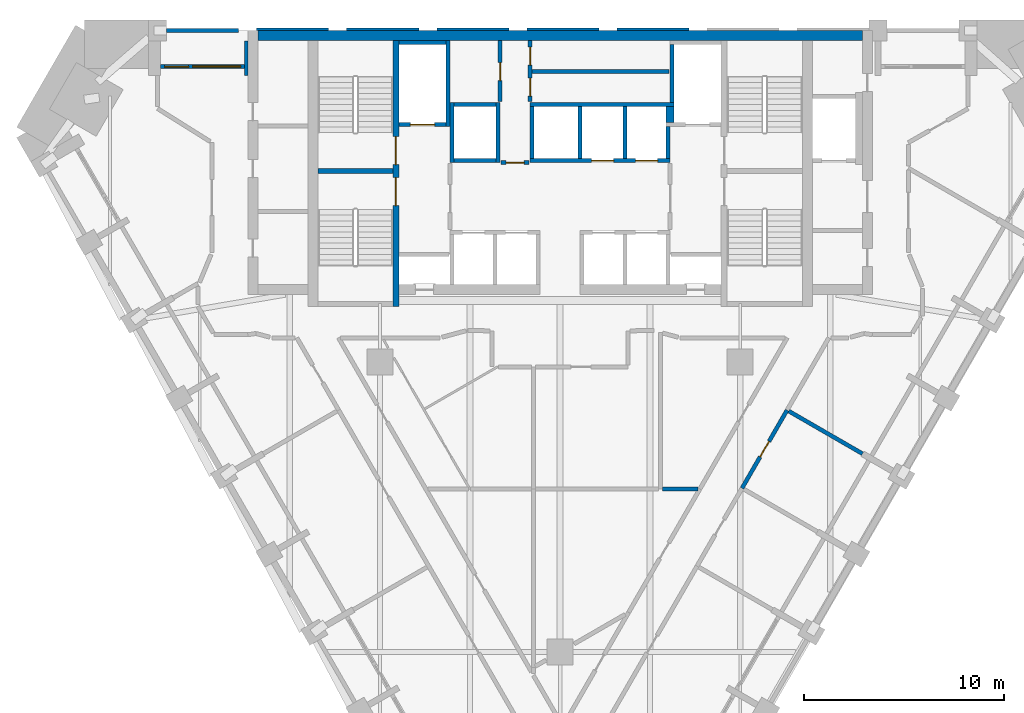
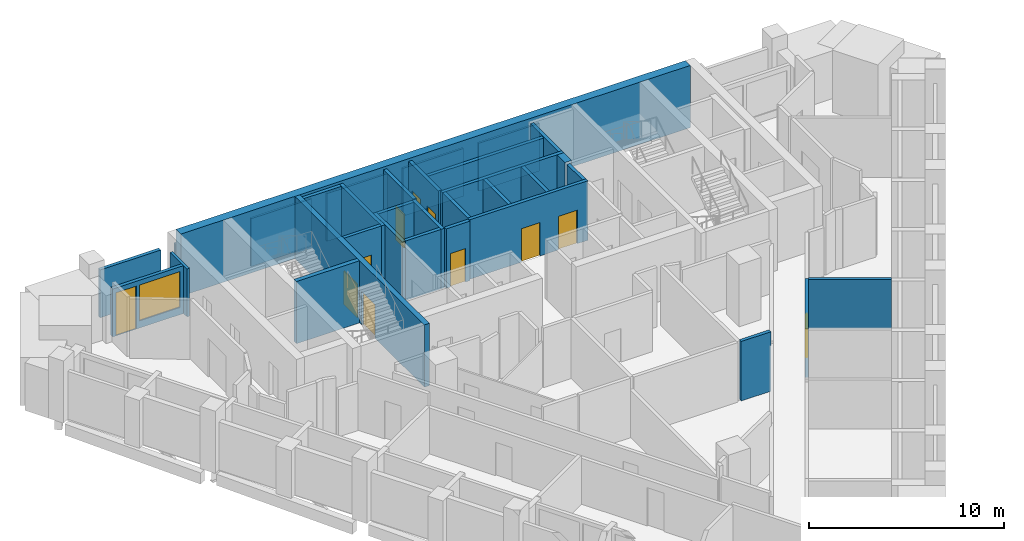
# One storey, part 6 of 10: 33 walls, 11 doors, 1 window, 12 openings.
"""IFC4 building model written with IfcOpenShell, lengths in metres."""

import ifcopenshell
import ifcopenshell.guid

model = None  # the IFC model being written
_history = None  # IfcOwnerHistory: only IFC2X3 demands one
_inside = {}  # id of a spatial element -> (the spatial element, [elements in it])
_under = {}  # id of a project, library or spatial element -> (it, [spatial elements below it])
_declared = {}  # id of a project -> (the project, [libraries it declares])
_typed = {}  # id of a type object -> (the type object, [elements of that type])
_made_of = {}  # id of a material, layer set ... -> (it, [elements and type objects made of it])


def new_model(schema):
    """Start an empty IFC model of exactly this schema.

    Asked for "IFC4X3", IfcOpenShell would pick the latest addendum, in which some entities
    have other attributes; the version numbers below select the first issue.
    IFC2X3 requires an IfcOwnerHistory on every rooted entity: one is made here for all.
    """
    global model, _history
    if schema == "IFC4X3":
        model = ifcopenshell.file(schema_version=(4, 3, 0, 0))
    else:
        model = ifcopenshell.file(schema=schema)
    _inside.clear()
    _under.clear()
    _declared.clear()
    _typed.clear()
    _made_of.clear()
    _history = None
    if model.schema == "IFC2X3":
        org = make("IfcOrganization", Name="unknown")
        user = make(
            "IfcPersonAndOrganization",
            ThePerson=make("IfcPerson", FamilyName="unknown"),
            TheOrganization=org,
        )
        app = make(
            "IfcApplication",
            ApplicationDeveloper=org,
            Version="unknown",
            ApplicationFullName="unknown",
            ApplicationIdentifier="unknown",
        )
        _history = make(
            "IfcOwnerHistory",
            OwningUser=user,
            OwningApplication=app,
            ChangeAction="ADDED",
            CreationDate=0,
        )
    return model


def make(cls, **values):
    """One entity of the class cls with the attributes given. An attribute that is None is left unset."""
    return model.create_entity(
        cls, **{name: value for name, value in values.items() if value is not None}
    )


def rooted(cls, **values):
    """An entity with a GlobalId (a new one), such as an element, a storey or a relation."""
    return make(cls, GlobalId=ifcopenshell.guid.new(), OwnerHistory=_history, **values)


def si_unit(unit_type, name, prefix=None):
    """IfcSIUnit, for example si_unit("LENGTHUNIT", "METRE", prefix="MILLI")."""
    return make("IfcSIUnit", UnitType=unit_type, Prefix=prefix, Name=name)


def assignment(units):
    """IfcUnitAssignment: the units of a project."""
    return None if units is None else make("IfcUnitAssignment", Units=units)


def point(xyz):
    """IfcCartesianPoint."""
    return None if xyz is None else make("IfcCartesianPoint", Coordinates=xyz)


def direction(xyz):
    """IfcDirection."""
    return None if xyz is None else make("IfcDirection", DirectionRatios=xyz)


def frame(location, z_axis=None, x_axis=None):
    """IfcAxis2Placement3D, a coordinate frame: its origin and axes. An axis left out is left unset."""
    return make(
        "IfcAxis2Placement3D",
        Location=point(location),
        Axis=direction(z_axis),
        RefDirection=direction(x_axis),
    )


def frame_2d(location, x_axis=None):
    """IfcAxis2Placement2D, a coordinate frame in the plane: its origin and x axis."""
    return make(
        "IfcAxis2Placement2D", Location=point(location), RefDirection=direction(x_axis)
    )


def origin():
    """The frame at (0, 0, 0) with its axes left unset."""
    return frame((0.0, 0.0, 0.0))


def place(relative_to, where):
    """IfcLocalPlacement: puts the frame where relative to a parent placement (None: the world)."""
    return make(
        "IfcLocalPlacement", PlacementRelTo=relative_to, RelativePlacement=where
    )


def context(
    kind, dimensions, precision=None, world=None, true_north=None, identifier=None
):
    """IfcGeometricRepresentationContext, for example the 3D "Model" context."""
    return make(
        "IfcGeometricRepresentationContext",
        ContextIdentifier=identifier,
        ContextType=kind,
        CoordinateSpaceDimension=dimensions,
        Precision=precision,
        WorldCoordinateSystem=world,
        TrueNorth=true_north,
    )


def subcontext(parent, identifier, kind, view, scale=None):
    """IfcGeometricRepresentationSubContext, for example "Body" below "Model"."""
    return make(
        "IfcGeometricRepresentationSubContext",
        ContextIdentifier=identifier,
        ContextType=kind,
        ParentContext=parent,
        TargetScale=scale,
        TargetView=view,
    )


def project(units=None, contexts=None):
    """IfcProject with its units and contexts."""
    return rooted(
        "IfcProject",
        Name="project",
        RepresentationContexts=contexts,
        UnitsInContext=assignment(units),
    )


def spatial(cls, under=None, at=None, **own):
    """A site, building, storey or space (cls), placed at a placement, below another one or the project."""
    s = rooted(cls, ObjectPlacement=at, **own)
    if under is not None:
        _under.setdefault(under.id(), (under, []))[1].append(s)
    return s


def polyline(points):
    """IfcPolyline through the points."""
    return make("IfcPolyline", Points=[point(p) for p in points])


def profile(cls, at=None, kind="AREA", **sizes):
    """A parametric profile (cls). Its sizes go by their IFC names, for example OverallWidth=200.0."""
    return make(cls, ProfileType=kind, Position=at, **sizes)


def rectangle(**sizes):
    """IfcRectangleProfileDef."""
    return profile("IfcRectangleProfileDef", **sizes)


def outline(outer, holes=None, kind="AREA"):
    """IfcArbitraryClosedProfileDef: a profile drawn as a closed curve; with holes, ...WithVoids."""
    if holes is None:
        return make("IfcArbitraryClosedProfileDef", ProfileType=kind, OuterCurve=outer)
    return make(
        "IfcArbitraryProfileDefWithVoids",
        ProfileType=kind,
        OuterCurve=outer,
        InnerCurves=holes,
    )


def extrude(swept, where, along, depth):
    """IfcExtrudedAreaSolid: the profile swept, set in the frame where, extruded along a direction by depth."""
    return make(
        "IfcExtrudedAreaSolid",
        SweptArea=swept,
        Position=where,
        ExtrudedDirection=direction(along),
        Depth=depth,
    )


def shape(context_of_items, identifier, shape_type, items):
    """IfcShapeRepresentation: the items that make up one representation, for example the "Body"."""
    return make(
        "IfcShapeRepresentation",
        ContextOfItems=context_of_items,
        RepresentationIdentifier=identifier,
        RepresentationType=shape_type,
        Items=items,
    )


def material(Name=None, Category=None):
    """IfcMaterial."""
    return make("IfcMaterial", Name=Name, Category=Category)


def layer(
    of_material, thickness, ventilated=None, Name=None, Category=None, Priority=None
):
    """IfcMaterialLayer: one layer of a wall or slab, of a material (None: an air gap)."""
    return make(
        "IfcMaterialLayer",
        Material=of_material,
        LayerThickness=thickness,
        IsVentilated=ventilated,
        Name=Name,
        Category=Category,
        Priority=Priority,
    )


def layer_set(layers, Name=None):
    """IfcMaterialLayerSet."""
    return make("IfcMaterialLayerSet", MaterialLayers=layers, LayerSetName=Name)


def made_of(thing, what):
    """Note that an element or type object is made of a material, layer set ...; save() writes the relation."""
    if what is not None:
        _made_of.setdefault(what.id(), (what, []))[1].append(thing)
    return thing


def type_object(cls, material=None, **own):
    """A type object (cls), such as IfcWallType, which elements share."""
    return made_of(rooted(cls, **own), material)


def element(
    cls,
    number,
    at=None,
    inside=None,
    cuts=None,
    type_object=None,
    material=None,
    context=None,
    identifier="Body",
    shape_type=None,
    held_by="IfcProductDefinitionShape",
    body=None,
    shapes=None,
    **own,
):
    """One element of the class cls, such as IfcWall. Its Tag is "e" and its number.

    at: its placement. inside: the storey or other place that contains it. cuts: it is an
    opening in that element (IfcRelVoidsElement). A single representation is given by context,
    identifier, shape_type and body (its items); several are given by shapes. held_by: the class
    of the entity that holds the representations. save() writes the other relations.
    """
    e = rooted(cls, Tag="e%d" % number, ObjectPlacement=at, **own)
    if body is not None:
        shapes = [shape(context, identifier, shape_type, body)]
    if shapes is not None:
        e.Representation = make(held_by, Representations=shapes)
    if inside is not None:
        _inside.setdefault(inside.id(), (inside, []))[1].append(e)
    if cuts is not None:
        rooted(
            "IfcRelVoidsElement", RelatingBuildingElement=cuts, RelatedOpeningElement=e
        )
    if type_object is not None:
        _typed.setdefault(type_object.id(), (type_object, []))[1].append(e)
    return made_of(e, material)


def fill(opening, filler):
    """IfcRelFillsElement: the door or window that sits in an opening."""
    return rooted(
        "IfcRelFillsElement",
        RelatingOpeningElement=opening,
        RelatedBuildingElement=filler,
    )


def aggregate(whole, parts):
    """IfcRelAggregates: a whole, such as a stair, and the parts it consists of."""
    return rooted("IfcRelAggregates", RelatingObject=whole, RelatedObjects=parts)


def save(model, path):
    """Write the relations noted so far, then the file.

    IfcRelAggregates (storeys below a building ...), IfcRelContainedInSpatialStructure (elements
    in a storey), IfcRelDefinesByType, IfcRelAssociatesMaterial and IfcRelDeclares: one each for
    every whole, place, type object, material and project.
    """
    for whole, parts in _under.values():
        aggregate(whole, parts)
    for where, things in _inside.values():
        rooted(
            "IfcRelContainedInSpatialStructure",
            RelatedElements=things,
            RelatingStructure=where,
        )
    for kind, things in _typed.values():
        rooted("IfcRelDefinesByType", RelatedObjects=things, RelatingType=kind)
    for what, things in _made_of.values():
        rooted("IfcRelAssociatesMaterial", RelatedObjects=things, RelatingMaterial=what)
    for by, libraries in _declared.values():
        rooted("IfcRelDeclares", RelatingContext=by, RelatedDefinitions=libraries)
    model.write(path)


model = new_model("IFC4")

# Units and contexts
model_context = context("Model", 3, precision=1e-05, world=origin(), true_north=direction((0.0, 1.0)))
body_context = subcontext(model_context, "Body", "Model", "MODEL_VIEW")
ifc_project = project(units=[si_unit("LENGTHUNIT", "METRE"), si_unit("AREAUNIT", "SQUARE_METRE"), si_unit("VOLUMEUNIT", "CUBIC_METRE"), si_unit("PLANEANGLEUNIT", "RADIAN"), si_unit("MASSUNIT", "GRAM", prefix="KILO")], contexts=[model_context])

# Site, building, storey
site_placement = place(None, origin())
site = spatial("IfcSite", under=ifc_project, at=site_placement, CompositionType="ELEMENT")
building_placement = place(site_placement, origin())
building = spatial("IfcBuilding", under=site, at=building_placement, Name="Calabash Gate Tower", CompositionType="ELEMENT")
storey_placement = place(building_placement, frame((0.0, 0.0, 164.10009765625)))
storey = spatial("IfcBuildingStorey", under=building, at=storey_placement, Name="L38", CompositionType="ELEMENT", Elevation=164.10009765625)

# Walls
ifc_material_1 = material(Name="Terracotta brick masonry, exposed face", Category="masonry")
ifc_layer_1 = layer(ifc_material_1, 0.300048828125)
ifc_layer_set_1 = layer_set([ifc_layer_1], Name="Brick loggia cheek wall 300")
wall_type_1 = type_object("IfcWallType", Name="Brick loggia cheek wall 300", PredefinedType="SOLIDWALL", material=ifc_layer_set_1)
wall_1_placement = place(storey_placement, origin())
element("IfcWall", 1, at=wall_1_placement, inside=storey, type_object=wall_type_1, Name="Loggia cheek S10 N6.8", PredefinedType="SOLIDWALL", context=body_context, shape_type="SweptSolid", body=[
    extrude(outline(polyline([(-15.762451171875, 16.802490234375), (-15.60009765625, 16.802490234375), (-15.60009765625, 18.527587890625), (-15.762451171875, 18.527587890625), (-15.762451171875, 16.802490234375)])), origin(), (0.0, 0.0, 1.0), 3.0),
])
ifc_material_2 = material(Name="Concrete C70/85", Category="concrete")
ifc_layer_2 = layer(ifc_material_2, 0.25)
ifc_layer_set_2 = layer_set([ifc_layer_2], Name="Core wall 250 Concrete C70/85")
wall_type_2 = type_object("IfcWallType", Name="Core wall 250 Concrete C70/85", PredefinedType="SHEAR", material=ifc_layer_set_2)
wall_2_placement = place(storey_placement, frame((-12.10009765625, 12.027587890625, 0.0), z_axis=(0.0, 0.0, 1.0), x_axis=(1.0, 0.0, 0.0)))
element("IfcWall", 2, at=wall_2_placement, inside=storey, type_object=wall_type_2, Name="Core wall Z3-MIDW L38", PredefinedType="SHEAR", context=body_context, shape_type="SweptSolid", body=[
    extrude(rectangle(XDim=3.75, YDim=0.25, at=frame_2d((1.875, 0.0))), origin(), (0.0, 0.0, 1.0), 3.89990234375),
])

# Wall, openings, doors
ifc_material_3 = material(Name="Concrete C70/85", Category="concrete")
ifc_layer_3 = layer(ifc_material_3, 0.300048828125)
ifc_layer_set_3 = layer_set([ifc_layer_3], Name="Core wall 300 Concrete C70/85")
wall_type_3 = type_object("IfcWallType", Name="Core wall 300 Concrete C70/85", PredefinedType="SHEAR", material=ifc_layer_set_3)
wall_3_placement = place(storey_placement, frame((-8.199951171875, 5.252685546875, 0.0), z_axis=(0.0, 0.0, 1.0), x_axis=(0.0, 1.0, 0.0)))
wall_3 = element("IfcWall", 3, at=wall_3_placement, inside=storey, type_object=wall_type_3, Name="Core wall Z3-PARTW L38", PredefinedType="SHEAR", context=body_context, shape_type="SweptSolid", body=[
    extrude(rectangle(XDim=13.2998046875, YDim=0.300048828125, at=frame_2d((6.64990234375, 0.0))), origin(), (0.0, 0.0, 1.0), 3.89990234375),
])
opening_1_placement = place(wall_3_placement, frame((7.10009765625, 0.0, 0.0)))
opening_1 = element("IfcOpeningElement", 4, at=opening_1_placement, cuts=wall_3, Name="Opening O2-015", PredefinedType="OPENING", context=body_context, shape_type="SweptSolid", body=[
    extrude(rectangle(XDim=1.39990234375, YDim=2.10009765625, at=frame_2d((0.699951171875, 1.050048828125))), frame((0.0, 0.159912109375, 0.0), z_axis=(0.0, -1.0, 0.0), x_axis=(1.0, 0.0, 0.0)), (0.0, 0.0, 1.0), 0.320068359375),
])
opening_2_placement = place(wall_3_placement, frame((5.050048828125, 0.0, 0.0)))
opening_2 = element("IfcOpeningElement", 5, at=opening_2_placement, cuts=wall_3, Name="Opening O2-016", PredefinedType="OPENING", context=body_context, shape_type="SweptSolid", body=[
    extrude(rectangle(XDim=1.39990234375, YDim=2.10009765625, at=frame_2d((0.699951171875, 1.050048828125))), frame((0.0, 0.159912109375, 0.0), z_axis=(0.0, -1.0, 0.0), x_axis=(1.0, 0.0, 0.0)), (0.0, 0.0, 1.0), 0.320068359375),
])
ifc_material_4 = material(Name="Steel fire door set with fire-resisting glazing", Category="steel")
door_type_1 = type_object("IfcDoorType", Name="Fire door D05 1400x2100 FD90", OperationType="NOTDEFINED", PredefinedType="DOOR", material=ifc_material_4)
door_1_placement = place(opening_1_placement, origin())
door_1 = element("IfcDoor", 6, at=door_1_placement, inside=storey, type_object=door_type_1, Name="Exit stair door ST1", OperationType="SINGLE_SWING_LEFT", OverallHeight=2.10009765625, OverallWidth=1.39990234375, PredefinedType="DOOR", context=body_context, shape_type="SweptSolid", body=[
    extrude(rectangle(XDim=1.39990234375, YDim=2.10009765625, at=frame_2d((0.699951171875, 1.050048828125))), frame((0.0, 0.02490234375, 0.0), z_axis=(0.0, -1.0, 0.0), x_axis=(1.0, 0.0, 0.0)), (0.0, 0.0, 1.0), 0.050048828125),
])
fill(opening_1, door_1)
door_2_placement = place(opening_2_placement, origin())
door_2 = element("IfcDoor", 7, at=door_2_placement, inside=storey, type_object=door_type_1, Name="Exit stair door ST2", OperationType="SINGLE_SWING_LEFT", OverallHeight=2.10009765625, OverallWidth=1.39990234375, PredefinedType="DOOR", context=body_context, shape_type="SweptSolid", body=[
    extrude(rectangle(XDim=1.39990234375, YDim=2.10009765625, at=frame_2d((0.699951171875, 1.050048828125))), frame((0.0, 0.02490234375, 0.0), z_axis=(0.0, -1.0, 0.0), x_axis=(1.0, 0.0, 0.0)), (0.0, 0.0, 1.0), 0.050048828125),
])
fill(opening_2, door_2)

# Walls
ifc_material_5 = material(Name="Concrete C70/85", Category="concrete")
ifc_layer_4 = layer(ifc_material_5, 0.5)
ifc_layer_set_4 = layer_set([ifc_layer_4], Name="Core wall 500 Concrete C70/85")
wall_type_4 = type_object("IfcWallType", Name="Core wall 500 Concrete C70/85", PredefinedType="SHEAR", material=ifc_layer_set_4)
wall_4_placement = place(storey_placement, frame((-15.10009765625, 18.802490234375, 0.0), z_axis=(0.0, 0.0, 1.0), x_axis=(1.0, 0.0, 0.0)))
element("IfcWall", 8, at=wall_4_placement, inside=storey, type_object=wall_type_4, Name="Core wall Z3-N L38", PredefinedType="SHEAR", context=body_context, shape_type="SweptSolid", body=[
    extrude(rectangle(XDim=30.2001953125, YDim=0.5, at=frame_2d((15.10009765625, 0.0))), origin(), (0.0, 0.0, 1.0), 3.89990234375),
])
ifc_material_6 = material(Name="Gypsum board on steel studs, mineral wool", Category="steel")
ifc_layer_5 = layer(ifc_material_6, 0.199951171875)
ifc_layer_set_5 = layer_set([ifc_layer_5], Name="Partition 200 gypsum board EI 60")
wall_type_5 = type_object("IfcWallType", Name="Partition 200 gypsum board EI 60", PredefinedType="PARTITIONING", material=ifc_layer_set_5)
wall_5_placement = place(storey_placement, frame((5.120849609375, -3.855712890625, 0.0), z_axis=(0.0, 0.0, 1.0), x_axis=(0.999999529486, -0.000970066062, 0.0)))
element("IfcWall", 9, at=wall_5_placement, inside=storey, type_object=wall_type_5, Name="Partition", PredefinedType="PARTITIONING", context=body_context, shape_type="SweptSolid", body=[
    extrude(rectangle(XDim=1.76171875, YDim=0.199951171875, at=frame_2d((0.880859375, 0.0))), origin(), (0.0, 0.0, 1.0), 3.72998046875),
])
wall_6_placement = place(storey_placement, frame((11.426513671875, 0.03466796875, 0.0), z_axis=(0.0, 0.0, 1.0), x_axis=(0.865857330643, -0.500290998291, 0.0)))
element("IfcWall", 10, at=wall_6_placement, inside=storey, type_object=wall_type_5, Name="Partition", PredefinedType="PARTITIONING", context=body_context, shape_type="SweptSolid", body=[
    extrude(rectangle(XDim=4.24951171875, YDim=0.199951171875, at=frame_2d((2.124755859375, 0.0))), origin(), (0.0, 0.0, 1.0), 3.0517578125),
])

# Wall, opening, door
wall_7_placement = place(storey_placement, frame((9.09033203125, -3.814697265625, 0.0), z_axis=(0.0, 0.0, 1.0), x_axis=(0.499972939495, 0.866041026611, 0.0)))
wall_7 = element("IfcWall", 11, at=wall_7_placement, inside=storey, type_object=wall_type_5, Name="Partition", PredefinedType="PARTITIONING", context=body_context, shape_type="SweptSolid", body=[
    extrude(rectangle(XDim=4.499755859375, YDim=0.199951171875, at=frame_2d((2.25, 0.0))), origin(), (0.0, 0.0, 1.0), 3.0517578125),
])
opening_3_placement = place(wall_7_placement, frame((1.7998046875, 0.0, 0.0)))
opening_3 = element("IfcOpeningElement", 12, at=opening_3_placement, cuts=wall_7, Name="Opening 36-38-005", PredefinedType="OPENING", context=body_context, shape_type="SweptSolid", body=[
    extrude(rectangle(XDim=0.89990234375, YDim=2.10009765625, at=frame_2d((0.449951171875, 1.050048828125))), frame((0.0, 0.10986328125, 0.0), z_axis=(0.0, -1.0, 0.0), x_axis=(1.0, 0.0, 0.0)), (0.0, 0.0, 1.0), 0.219970703125),
])
ifc_material_7 = material(Name="Painted timber door", Category="wood")
door_type_2 = type_object("IfcDoorType", Name="OD1 Office door 900x2100", OperationType="NOTDEFINED", PredefinedType="DOOR", material=ifc_material_7)
door_3_placement = place(opening_3_placement, origin())
door_3 = element("IfcDoor", 13, at=door_3_placement, inside=storey, type_object=door_type_2, Name="Office door", OperationType="SINGLE_SWING_RIGHT", OverallHeight=2.10009765625, OverallWidth=0.89990234375, PredefinedType="DOOR", context=body_context, shape_type="SweptSolid", body=[
    extrude(rectangle(XDim=0.89990234375, YDim=2.10009765625, at=frame_2d((0.449951171875, 1.050048828125))), frame((0.0, 0.02490234375, 0.0), z_axis=(0.0, -1.0, 0.0), x_axis=(1.0, 0.0, 0.0)), (0.0, 0.0, 1.0), 0.050048828125),
])
fill(opening_3, door_3)

ifc_material_8 = material(Name="Concrete C40/50", Category="concrete")
ifc_layer_6 = layer(ifc_material_8, 0.199951171875)
ifc_layer_set_6 = layer_set([ifc_layer_6], Name="Shaft wall 200 Concrete C40/50")
wall_type_6 = type_object("IfcWallType", Name="Shaft wall 200 Concrete C40/50", PredefinedType="SOLIDWALL", material=ifc_layer_set_6)
wall_8_placement = place(storey_placement, frame((-2.949951171875, 12.45263671875, 0.0), z_axis=(0.0, 0.0, 1.0), x_axis=(1.0, 0.0, 0.0)))
wall_8 = element("IfcWall", 14, at=wall_8_placement, inside=storey, type_object=wall_type_6, Name="Shaft wall", PredefinedType="SOLIDWALL", context=body_context, shape_type="SweptSolid", body=[
    extrude(rectangle(XDim=1.39990234375, YDim=0.199951171875, at=frame_2d((0.699951171875, 0.0))), origin(), (0.0, 0.0, 1.0), 3.72998046875),
])
opening_4_placement = place(wall_8_placement, frame((0.25, 0.0, 0.0)))
opening_4 = element("IfcOpeningElement", 15, at=opening_4_placement, cuts=wall_8, Name="Opening O2-007", PredefinedType="OPENING", context=body_context, shape_type="SweptSolid", body=[
    extrude(rectangle(XDim=0.89990234375, YDim=2.10009765625, at=frame_2d((0.449951171875, 1.050048828125))), frame((0.0, 0.10986328125, 0.0), z_axis=(0.0, -1.0, 0.0), x_axis=(1.0, 0.0, 0.0)), (0.0, 0.0, 1.0), 0.219970703125),
])
ifc_material_9 = material(Name="Steel fire door set with fire-resisting glazing", Category="steel")
door_type_3 = type_object("IfcDoorType", Name="Fire door D06 900x2100 FD60", OperationType="NOTDEFINED", PredefinedType="DOOR", material=ifc_material_9)
door_4_placement = place(opening_4_placement, origin())
door_4 = element("IfcDoor", 16, at=door_4_placement, inside=storey, type_object=door_type_3, Name="Service Corridor door", OperationType="SINGLE_SWING_RIGHT", OverallHeight=2.10009765625, OverallWidth=0.89990234375, PredefinedType="DOOR", context=body_context, shape_type="SweptSolid", body=[
    extrude(rectangle(XDim=0.89990234375, YDim=2.10009765625, at=frame_2d((0.449951171875, 1.050048828125))), frame((0.0, 0.02490234375, 0.0), z_axis=(0.0, -1.0, 0.0), x_axis=(1.0, 0.0, 0.0)), (0.0, 0.0, 1.0), 0.050048828125),
])
fill(opening_4, door_4)

# Walls
wall_9_placement = place(storey_placement, frame((-5.39990234375, 12.45263671875, 0.0), z_axis=(0.0, 0.0, 1.0), x_axis=(0.0, 1.0, 0.0)))
element("IfcWall", 17, at=wall_9_placement, inside=storey, type_object=wall_type_6, Name="Shaft wall", PredefinedType="SOLIDWALL", context=body_context, shape_type="SweptSolid", body=[
    extrude(rectangle(XDim=3.0, YDim=0.199951171875, at=frame_2d((1.5, 0.0))), origin(), (0.0, 0.0, 1.0), 3.72998046875),
])
wall_10_placement = place(storey_placement, frame((-5.300048828125, 12.552490234375, 0.0), z_axis=(0.0, 0.0, 1.0), x_axis=(1.0, 0.0, 0.0)))
element("IfcWall", 18, at=wall_10_placement, inside=storey, type_object=wall_type_6, Name="Shaft wall", PredefinedType="SOLIDWALL", context=body_context, shape_type="SweptSolid", body=[
    extrude(rectangle(XDim=2.10009765625, YDim=0.199951171875, at=frame_2d((1.050048828125, 0.0))), origin(), (0.0, 0.0, 1.0), 3.72998046875),
])
wall_11_placement = place(storey_placement, frame((-3.10009765625, 12.45263671875, 0.0), z_axis=(0.0, 0.0, 1.0), x_axis=(0.0, 1.0, 0.0)))
element("IfcWall", 19, at=wall_11_placement, inside=storey, type_object=wall_type_6, Name="Shaft wall", PredefinedType="SOLIDWALL", context=body_context, shape_type="SweptSolid", body=[
    extrude(rectangle(XDim=3.0, YDim=0.199951171875, at=frame_2d((1.5, 0.0))), origin(), (0.0, 0.0, 1.0), 3.72998046875),
])

# Wall, openings, doors
wall_12_placement = place(storey_placement, frame((-1.5, 12.552490234375, 0.0), z_axis=(0.0, 0.0, 1.0), x_axis=(1.0, 0.0, 0.0)))
wall_12 = element("IfcWall", 20, at=wall_12_placement, inside=storey, type_object=wall_type_6, Name="Shaft wall", PredefinedType="SOLIDWALL", context=body_context, shape_type="SweptSolid", body=[
    extrude(rectangle(XDim=7.0, YDim=0.199951171875, at=frame_2d((3.5, 0.0))), origin(), (0.0, 0.0, 1.0), 3.72998046875),
])
opening_5_placement = place(wall_12_placement, frame((3.074951171875, 0.0, 0.0)))
opening_5 = element("IfcOpeningElement", 21, at=opening_5_placement, cuts=wall_12, Name="Opening LD-HR5", PredefinedType="OPENING", context=body_context, shape_type="SweptSolid", body=[
    extrude(rectangle(XDim=1.10009765625, YDim=2.10009765625, at=frame_2d((0.550048828125, 1.050048828125))), frame((0.0, 0.10986328125, 0.0), z_axis=(0.0, -1.0, 0.0), x_axis=(1.0, 0.0, 0.0)), (0.0, 0.0, 1.0), 0.219970703125),
])
opening_6_placement = place(wall_12_placement, frame((5.27490234375, 0.0, 0.0)))
opening_6 = element("IfcOpeningElement", 22, at=opening_6_placement, cuts=wall_12, Name="Opening LD-HR6", PredefinedType="OPENING", context=body_context, shape_type="SweptSolid", body=[
    extrude(rectangle(XDim=1.10009765625, YDim=2.10009765625, at=frame_2d((0.550048828125, 1.050048828125))), frame((0.0, 0.10986328125, 0.0), z_axis=(0.0, -1.0, 0.0), x_axis=(1.0, 0.0, 0.0)), (0.0, 0.0, 1.0), 0.219970703125),
])
ifc_material_10 = material(Name="Stainless steel sliding door leaves", Category="steel")
door_type_4 = type_object("IfcDoorType", Name="Lift landing door LS1 1100x2100 FD90", OperationType="DOUBLE_DOOR_SLIDING", PredefinedType="DOOR", material=ifc_material_10)
door_5_placement = place(opening_5_placement, origin())
door_5 = element("IfcDoor", 23, at=door_5_placement, inside=storey, type_object=door_type_4, Name="Lift landing door HR5", OperationType="DOUBLE_DOOR_SLIDING", OverallHeight=2.10009765625, OverallWidth=1.10009765625, PredefinedType="DOOR", context=body_context, shape_type="SweptSolid", body=[
    extrude(rectangle(XDim=1.10009765625, YDim=2.10009765625, at=frame_2d((0.550048828125, 1.050048828125))), frame((0.0, 0.02490234375, 0.0), z_axis=(0.0, -1.0, 0.0), x_axis=(1.0, 0.0, 0.0)), (0.0, 0.0, 1.0), 0.050048828125),
])
fill(opening_5, door_5)
door_6_placement = place(opening_6_placement, origin())
door_6 = element("IfcDoor", 24, at=door_6_placement, inside=storey, type_object=door_type_4, Name="Lift landing door HR6", OperationType="DOUBLE_DOOR_SLIDING", OverallHeight=2.10009765625, OverallWidth=1.10009765625, PredefinedType="DOOR", context=body_context, shape_type="SweptSolid", body=[
    extrude(rectangle(XDim=1.10009765625, YDim=2.10009765625, at=frame_2d((0.550048828125, 1.050048828125))), frame((0.0, 0.02490234375, 0.0), z_axis=(0.0, -1.0, 0.0), x_axis=(1.0, 0.0, 0.0)), (0.0, 0.0, 1.0), 0.050048828125),
])
fill(opening_6, door_6)

# Walls
for number, where, z_axis, x_axis, name in (
    (25, (-1.39990234375, 12.652587890625, 0.0), (0.0, 0.0, 1.0), (0.0, 1.0, 0.0), "Shaft wall"),
    (26, (1.0, 12.652587890625, 0.0), (0.0, 0.0, 1.0), (0.0, 1.0, 0.0), "Shaft wall"),
    (27, (3.25, 12.652587890625, 0.0), (0.0, 0.0, 1.0), (0.0, 1.0, 0.0), "Shaft wall"),
):
    element("IfcWall", number, at=place(storey_placement, frame(where, z_axis=z_axis, x_axis=x_axis)), inside=storey, type_object=wall_type_6, Name=name, PredefinedType="SOLIDWALL", context=body_context, shape_type="SweptSolid", body=[
        extrude(rectangle(XDim=2.60009765625, YDim=0.199951171875, at=frame_2d((1.300048828125, 0.0))), origin(), (0.0, 0.0, 1.0), 3.72998046875),
    ])
wall_13_placement = place(storey_placement, frame((5.39990234375, 12.652587890625, 0.0), z_axis=(0.0, 0.0, 1.0), x_axis=(0.0, 1.0, 0.0)))
element("IfcWall", 28, at=wall_13_placement, inside=storey, type_object=wall_type_6, Name="Shaft wall", PredefinedType="SOLIDWALL", context=body_context, shape_type="SweptSolid", body=[
    extrude(rectangle(XDim=1.60009765625, YDim=0.199951171875, at=frame_2d((0.800048828125, 0.0))), origin(), (0.0, 0.0, 1.0), 3.72998046875),
])

# Wall, opening, door
wall_14_placement = place(storey_placement, frame((-8.050048828125, 14.3525390625, 0.0), z_axis=(0.0, 0.0, 1.0), x_axis=(1.0, 0.0, 0.0)))
wall_14 = element("IfcWall", 29, at=wall_14_placement, inside=storey, type_object=wall_type_6, Name="Shaft wall", PredefinedType="SOLIDWALL", context=body_context, shape_type="SweptSolid", body=[
    extrude(rectangle(XDim=2.35009765625, YDim=0.199951171875, at=frame_2d((1.175048828125, 0.0))), origin(), (0.0, 0.0, 1.0), 3.72998046875),
])
opening_7_placement = place(wall_14_placement, frame((0.574951171875, 0.0, 0.0)))
opening_7 = element("IfcOpeningElement", 30, at=opening_7_placement, cuts=wall_14, Name="Opening LD-FF1", PredefinedType="OPENING", context=body_context, shape_type="SweptSolid", body=[
    extrude(rectangle(XDim=1.199951171875, YDim=2.10009765625, at=frame_2d((0.60009765625, 1.050048828125))), frame((0.0, 0.10986328125, 0.0), z_axis=(0.0, -1.0, 0.0), x_axis=(1.0, 0.0, 0.0)), (0.0, 0.0, 1.0), 0.219970703125),
])
ifc_material_11 = material(Name="Stainless steel sliding door leaves", Category="steel")
door_type_5 = type_object("IfcDoorType", Name="Lift landing door LS3 1200x2100 FD90", OperationType="DOUBLE_DOOR_SLIDING", PredefinedType="DOOR", material=ifc_material_11)
door_7_placement = place(opening_7_placement, origin())
door_7 = element("IfcDoor", 31, at=door_7_placement, inside=storey, type_object=door_type_5, Name="Lift landing door FF1", OperationType="DOUBLE_DOOR_SLIDING", OverallHeight=2.10009765625, OverallWidth=1.199951171875, PredefinedType="DOOR", context=body_context, shape_type="SweptSolid", body=[
    extrude(rectangle(XDim=1.199951171875, YDim=2.10009765625, at=frame_2d((0.60009765625, 1.050048828125))), frame((0.0, 0.02490234375, 0.0), z_axis=(0.0, -1.0, 0.0), x_axis=(1.0, 0.0, 0.0)), (0.0, 0.0, 1.0), 0.050048828125),
])
fill(opening_7, door_7)

# Walls
wall_15_placement = place(storey_placement, frame((-5.60009765625, 14.252685546875, 0.0), z_axis=(0.0, 0.0, 1.0), x_axis=(0.0, 1.0, 0.0)))
element("IfcWall", 32, at=wall_15_placement, inside=storey, type_object=wall_type_6, Name="Shaft wall", PredefinedType="SOLIDWALL", context=body_context, shape_type="SweptSolid", body=[
    extrude(rectangle(XDim=4.2998046875, YDim=0.199951171875, at=frame_2d((2.14990234375, 0.0))), origin(), (0.0, 0.0, 1.0), 3.72998046875),
])
wall_16_placement = place(storey_placement, frame((5.5, 14.45263671875, 0.0), z_axis=(0.0, 0.0, 1.0), x_axis=(0.0, 1.0, 0.0)))
element("IfcWall", 33, at=wall_16_placement, inside=storey, type_object=wall_type_6, Name="Shaft wall", PredefinedType="SOLIDWALL", context=body_context, shape_type="SweptSolid", body=[
    extrude(rectangle(XDim=0.800048828125, YDim=0.39990234375, at=frame_2d((0.39990234375, 0.0))), origin(), (0.0, 0.0, 1.0), 3.72998046875),
])
wall_17_placement = place(storey_placement, frame((-5.300048828125, 15.3525390625, 0.0), z_axis=(0.0, 0.0, 1.0), x_axis=(1.0, 0.0, 0.0)))
element("IfcWall", 34, at=wall_17_placement, inside=storey, type_object=wall_type_6, Name="Shaft wall", PredefinedType="SOLIDWALL", context=body_context, shape_type="SweptSolid", body=[
    extrude(rectangle(XDim=2.10009765625, YDim=0.199951171875, at=frame_2d((1.050048828125, 0.0))), origin(), (0.0, 0.0, 1.0), 3.72998046875),
])
wall_18_placement = place(storey_placement, frame((-1.5, 15.3525390625, 0.0), z_axis=(0.0, 0.0, 1.0), x_axis=(1.0, 0.0, 0.0)))
element("IfcWall", 35, at=wall_18_placement, inside=storey, type_object=wall_type_6, Name="Shaft wall", PredefinedType="SOLIDWALL", context=body_context, shape_type="SweptSolid", body=[
    extrude(rectangle(XDim=7.199951171875, YDim=0.199951171875, at=frame_2d((3.60009765625, 0.0))), origin(), (0.0, 0.0, 1.0), 3.72998046875),
])
wall_19_placement = place(storey_placement, frame((5.60009765625, 15.45263671875, 0.0), z_axis=(0.0, 0.0, 1.0), x_axis=(0.0, 1.0, 0.0)))
element("IfcWall", 36, at=wall_19_placement, inside=storey, type_object=wall_type_6, Name="Shaft wall", PredefinedType="SOLIDWALL", context=body_context, shape_type="SweptSolid", body=[
    extrude(rectangle(XDim=2.89990234375, YDim=0.199951171875, at=frame_2d((1.449951171875, 0.0))), origin(), (0.0, 0.0, 1.0), 3.72998046875),
])

# Wall, opening, door
wall_20_placement = place(storey_placement, frame((-3.0, 15.502685546875, 0.0), z_axis=(0.0, 0.0, 1.0), x_axis=(0.0, 1.0, 0.0)))
wall_20 = element("IfcWall", 37, at=wall_20_placement, inside=storey, type_object=wall_type_6, Name="Shaft wall", PredefinedType="SOLIDWALL", context=body_context, shape_type="SweptSolid", body=[
    extrude(rectangle(XDim=3.0498046875, YDim=0.199951171875, at=frame_2d((1.52490234375, 0.0))), origin(), (0.0, 0.0, 1.0), 3.72998046875),
])
opening_8_placement = place(wall_20_placement, frame((1.050048828125, 0.0, 0.0)))
opening_8 = element("IfcOpeningElement", 38, at=opening_8_placement, cuts=wall_20, Name="Opening O2-010", PredefinedType="OPENING", context=body_context, shape_type="SweptSolid", body=[
    extrude(rectangle(XDim=0.89990234375, YDim=2.10009765625, at=frame_2d((0.449951171875, 1.050048828125))), frame((0.0, 0.10986328125, 0.0), z_axis=(0.0, -1.0, 0.0), x_axis=(1.0, 0.0, 0.0)), (0.0, 0.0, 1.0), 0.219970703125),
])
door_8_placement = place(opening_8_placement, origin())
door_8 = element("IfcDoor", 39, at=door_8_placement, inside=storey, type_object=door_type_3, Name="Accessible WC door", OperationType="SINGLE_SWING_LEFT", OverallHeight=2.10009765625, OverallWidth=0.89990234375, PredefinedType="DOOR", context=body_context, shape_type="SweptSolid", body=[
    extrude(rectangle(XDim=0.89990234375, YDim=2.10009765625, at=frame_2d((0.449951171875, 1.050048828125))), frame((0.0, 0.02490234375, 0.0), z_axis=(0.0, -1.0, 0.0), x_axis=(1.0, 0.0, 0.0)), (0.0, 0.0, 1.0), 0.050048828125),
])
fill(opening_8, door_8)

# Wall, openings, doors
wall_21_placement = place(storey_placement, frame((-1.5, 15.502685546875, 0.0), z_axis=(0.0, 0.0, 1.0), x_axis=(0.0, 1.0, 0.0)))
wall_21 = element("IfcWall", 40, at=wall_21_placement, inside=storey, type_object=wall_type_6, Name="Shaft wall", PredefinedType="SOLIDWALL", context=body_context, shape_type="SweptSolid", body=[
    extrude(rectangle(XDim=3.0498046875, YDim=0.199951171875, at=frame_2d((1.52490234375, 0.0))), origin(), (0.0, 0.0, 1.0), 3.72998046875),
])
opening_9_placement = place(wall_21_placement, frame((0.27490234375, 0.0, 0.0)))
opening_9 = element("IfcOpeningElement", 41, at=opening_9_placement, cuts=wall_21, Name="Opening O2-011", PredefinedType="OPENING", context=body_context, shape_type="SweptSolid", body=[
    extrude(rectangle(XDim=0.89990234375, YDim=2.10009765625, at=frame_2d((0.449951171875, 1.050048828125))), frame((0.0, 0.10986328125, 0.0), z_axis=(0.0, -1.0, 0.0), x_axis=(1.0, 0.0, 0.0)), (0.0, 0.0, 1.0), 0.219970703125),
])
opening_10_placement = place(wall_21_placement, frame((1.824951171875, 0.0, 0.0)))
opening_10 = element("IfcOpeningElement", 42, at=opening_10_placement, cuts=wall_21, Name="Opening O2-012", PredefinedType="OPENING", context=body_context, shape_type="SweptSolid", body=[
    extrude(rectangle(XDim=0.89990234375, YDim=2.10009765625, at=frame_2d((0.449951171875, 1.050048828125))), frame((0.0, 0.10986328125, 0.0), z_axis=(0.0, -1.0, 0.0), x_axis=(1.0, 0.0, 0.0)), (0.0, 0.0, 1.0), 0.219970703125),
])
door_9_placement = place(opening_9_placement, origin())
door_9 = element("IfcDoor", 43, at=door_9_placement, inside=storey, type_object=door_type_3, Name="Tenant Pantry door", OperationType="SINGLE_SWING_LEFT", OverallHeight=2.10009765625, OverallWidth=0.89990234375, PredefinedType="DOOR", context=body_context, shape_type="SweptSolid", body=[
    extrude(rectangle(XDim=0.89990234375, YDim=2.10009765625, at=frame_2d((0.449951171875, 1.050048828125))), frame((0.0, 0.02490234375, 0.0), z_axis=(0.0, -1.0, 0.0), x_axis=(1.0, 0.0, 0.0)), (0.0, 0.0, 1.0), 0.050048828125),
])
fill(opening_9, door_9)
door_10_placement = place(opening_10_placement, origin())
door_10 = element("IfcDoor", 44, at=door_10_placement, inside=storey, type_object=door_type_3, Name="Print Room door", OperationType="SINGLE_SWING_LEFT", OverallHeight=2.10009765625, OverallWidth=0.89990234375, PredefinedType="DOOR", context=body_context, shape_type="SweptSolid", body=[
    extrude(rectangle(XDim=0.89990234375, YDim=2.10009765625, at=frame_2d((0.449951171875, 1.050048828125))), frame((0.0, 0.02490234375, 0.0), z_axis=(0.0, -1.0, 0.0), x_axis=(1.0, 0.0, 0.0)), (0.0, 0.0, 1.0), 0.050048828125),
])
fill(opening_10, door_10)

# Walls
wall_22_placement = place(storey_placement, frame((-1.39990234375, 17.002685546875, 0.0), z_axis=(0.0, 0.0, 1.0), x_axis=(1.0, 0.0, 0.0)))
element("IfcWall", 45, at=wall_22_placement, inside=storey, type_object=wall_type_6, Name="Shaft wall", PredefinedType="SOLIDWALL", context=body_context, shape_type="SweptSolid", body=[
    extrude(rectangle(XDim=6.849853515625, YDim=0.199951171875, at=frame_2d((3.4248046875, 0.0))), origin(), (0.0, 0.0, 1.0), 3.72998046875),
])
wall_23_placement = place(storey_placement, frame((-8.050048828125, 18.45263671875, 0.0), z_axis=(0.0, 0.0, 1.0), x_axis=(1.0, 0.0, 0.0)))
element("IfcWall", 46, at=wall_23_placement, inside=storey, type_object=wall_type_6, Name="Shaft wall", PredefinedType="SOLIDWALL", context=body_context, shape_type="SweptSolid", body=[
    extrude(rectangle(XDim=2.35009765625, YDim=0.199951171875, at=frame_2d((1.175048828125, 0.0))), origin(), (0.0, 0.0, 1.0), 3.72998046875),
])
ifc_material_12 = material(Name="Terracotta brick masonry, perforated", Category="masonry")
ifc_layer_7 = layer(ifc_material_12, 0.1201171875)
ifc_layer_set_7 = layer_set([ifc_layer_7], Name="Terracotta jaali cladding B 120")
wall_type_7 = type_object("IfcWallType", Name="Terracotta jaali cladding B 120", PredefinedType="SOLIDWALL", material=ifc_layer_set_7)
wall_24_placement = place(storey_placement, origin())
element("IfcWall", 47, at=wall_24_placement, inside=storey, type_object=wall_type_7, Name="Jaali cladding S10 N6.5", PredefinedType="SOLIDWALL", context=body_context, shape_type="SweptSolid", body=[
    extrude(outline(polyline([(-1.66259765625, 19.172607421875), (-1.66259765625, 19.052490234375), (1.9375, 19.052490234375), (1.9375, 19.172607421875), (-1.66259765625, 19.172607421875)])), origin(), (0.0, 0.0, 1.0), 3.0),
])
wall_25_placement = place(storey_placement, origin())
element("IfcWall", 48, at=wall_25_placement, inside=storey, type_object=wall_type_7, Name="Jaali cladding S10 N6.7", PredefinedType="SOLIDWALL", context=body_context, shape_type="SweptSolid", body=[
    extrude(outline(polyline([(-10.66259765625, 19.172607421875), (-10.66259765625, 19.052490234375), (-7.0625, 19.052490234375), (-7.0625, 19.172607421875), (-10.66259765625, 19.172607421875)])), origin(), (0.0, 0.0, 1.0), 3.0),
])
ifc_material_13 = material(Name="Terracotta brick masonry, perforated", Category="masonry")
ifc_layer_8 = layer(ifc_material_13, 0.199951171875)
ifc_layer_set_8 = layer_set([ifc_layer_8], Name="Terracotta jaali screen B")
wall_type_8 = type_object("IfcWallType", Name="Terracotta jaali screen B", PredefinedType="SOLIDWALL", material=ifc_layer_set_8)
wall_26_placement = place(storey_placement, frame((-16.0625, 19.052490234375, 0.0), z_axis=(0.0, 0.0, 1.0), x_axis=(-1.0, 0.0, 0.0)))
element("IfcWall", 49, at=wall_26_placement, inside=storey, type_object=wall_type_8, Name="SCREEN B S10 N6.9", PredefinedType="SOLIDWALL", context=body_context, shape_type="SweptSolid", body=[
    extrude(rectangle(XDim=3.60009765625, YDim=0.199951171875, at=frame_2d((1.800048828125, 0.0))), origin(), (0.0, 0.0, 1.0), 3.0),
])
ifc_material_14 = material(Name="Terracotta louvre blades in an aluminium frame", Category="masonry")
ifc_layer_9 = layer(ifc_material_14, 0.1201171875)
ifc_layer_set_9 = layer_set([ifc_layer_9], Name="Terracotta vent louvre cladding 120")
wall_type_9 = type_object("IfcWallType", Name="Terracotta vent louvre cladding 120", PredefinedType="ELEMENTEDWALL", material=ifc_layer_set_9)
wall_27_placement = place(storey_placement, origin())
element("IfcWall", 50, at=wall_27_placement, inside=storey, type_object=wall_type_9, Name="Vent louvre cladding S10 N6.4", PredefinedType="ELEMENTEDWALL", context=body_context, shape_type="SweptSolid", body=[
    extrude(outline(polyline([(2.83740234375, 19.172607421875), (2.83740234375, 19.052490234375), (6.4375, 19.052490234375), (6.4375, 19.172607421875), (2.83740234375, 19.172607421875)])), origin(), (0.0, 0.0, 1.0), 3.0),
])
wall_28_placement = place(storey_placement, origin())
element("IfcWall", 51, at=wall_28_placement, inside=storey, type_object=wall_type_9, Name="Vent louvre cladding S10 N6.6", PredefinedType="ELEMENTEDWALL", context=body_context, shape_type="SweptSolid", body=[
    extrude(outline(polyline([(-6.16259765625, 19.172607421875), (-6.16259765625, 19.052490234375), (-2.5625, 19.052490234375), (-2.5625, 19.172607421875), (-6.16259765625, 19.172607421875)])), origin(), (0.0, 0.0, 1.0), 3.0),
])
wall_29_placement = place(storey_placement, origin())
element("IfcWall", 52, at=wall_29_placement, inside=storey, type_object=wall_type_9, Name="Vent louvre cladding S10 N6.8", PredefinedType="ELEMENTEDWALL", context=body_context, shape_type="SweptSolid", body=[
    extrude(outline(polyline([(-15.16259765625, 19.172607421875), (-15.16259765625, 19.052490234375), (-11.5625, 19.052490234375), (-11.5625, 19.172607421875), (-15.16259765625, 19.172607421875)])), origin(), (0.0, 0.0, 1.0), 3.0),
])

# Wall, openings, door, window
ifc_material_15 = material(Name="Aluminium framed window wall with insulated spandrel", Category="aluminium")
ifc_layer_10 = layer(ifc_material_15, 0.199951171875)
ifc_layer_set_10 = layer_set([ifc_layer_10], Name="Window wall 200")
wall_type_10 = type_object("IfcWallType", Name="Window wall 200", PredefinedType="ELEMENTEDWALL", material=ifc_layer_set_10)
wall_30_placement = place(storey_placement, frame((-15.762451171875, 17.25244140625, 0.0), z_axis=(0.0, 0.0, 1.0), x_axis=(-1.0, 0.0, 0.0)))
wall_30 = element("IfcWall", 53, at=wall_30_placement, inside=storey, type_object=wall_type_10, Name="Window wall S10 N6.9", PredefinedType="ELEMENTEDWALL", context=body_context, shape_type="SweptSolid", body=[
    extrude(rectangle(XDim=4.2001953125, YDim=0.199951171875, at=frame_2d((2.10009765625, 0.0))), origin(), (0.0, 0.0, 1.0), 3.0),
])
opening_11_placement = place(wall_30_placement, frame((0.199951171875, 0.0, 0.449951171875)))
opening_11 = element("IfcOpeningElement", 54, at=opening_11_placement, cuts=wall_30, Name="Opening OW1", PredefinedType="OPENING", context=body_context, shape_type="SweptSolid", body=[
    extrude(rectangle(XDim=2.39990234375, YDim=2.25, at=frame_2d((1.199951171875, 1.125))), frame((0.0, 0.10986328125, 0.0), z_axis=(0.0, -1.0, 0.0), x_axis=(1.0, 0.0, 0.0)), (0.0, 0.0, 1.0), 0.219970703125),
])
opening_12_placement = place(wall_30_placement, frame((2.800048828125, 0.0, 0.0)))
opening_12 = element("IfcOpeningElement", 55, at=opening_12_placement, cuts=wall_30, Name="Opening O2-020", PredefinedType="OPENING", context=body_context, shape_type="SweptSolid", body=[
    extrude(rectangle(XDim=1.199951171875, YDim=2.699951171875, at=frame_2d((0.60009765625, 1.35009765625))), frame((0.0, 0.10986328125, 0.0), z_axis=(0.0, -1.0, 0.0), x_axis=(1.0, 0.0, 0.0)), (0.0, 0.0, 1.0), 0.219970703125),
])
ifc_material_16 = material(Name="Anodised aluminium frame, bronze finish, impact-rated laminated clear glazing", Category="aluminium")
door_type_6 = type_object("IfcDoorType", Name="Loggia door DO1 1200x2700", OperationType="SLIDING_TO_LEFT", PredefinedType="DOOR", material=ifc_material_16)
door_11_placement = place(opening_12_placement, origin())
door_11 = element("IfcDoor", 56, at=door_11_placement, inside=storey, type_object=door_type_6, Name="Loggia door S10 N6.9", OperationType="SINGLE_SWING_LEFT", OverallHeight=2.699951171875, OverallWidth=1.199951171875, PredefinedType="DOOR", context=body_context, shape_type="SweptSolid", body=[
    extrude(rectangle(XDim=1.199951171875, YDim=2.699951171875, at=frame_2d((0.60009765625, 1.35009765625))), frame((0.0, 0.02490234375, 0.0), z_axis=(0.0, -1.0, 0.0), x_axis=(1.0, 0.0, 0.0)), (0.0, 0.0, 1.0), 0.050048828125),
])
fill(opening_12, door_11)
ifc_material_17 = material(Name="Anodised aluminium frame, bronze finish, impact-rated laminated clear glazing", Category="aluminium")
window_type = type_object("IfcWindowType", Name="Window OW1 2400x2250", PartitioningType="DOUBLE_PANEL_VERTICAL", PredefinedType="WINDOW", material=ifc_material_17)
window_placement = place(opening_11_placement, origin())
window = element("IfcWindow", 57, at=window_placement, inside=storey, type_object=window_type, Name="Window OW1 S10 N6.9", OverallHeight=2.25, OverallWidth=2.39990234375, PartitioningType="SINGLE_PANEL", PredefinedType="WINDOW", context=body_context, shape_type="SweptSolid", body=[
    extrude(rectangle(XDim=2.39990234375, YDim=2.25, at=frame_2d((1.199951171875, 1.125))), frame((0.0, 0.030029296875, 0.0), z_axis=(0.0, -1.0, 0.0), x_axis=(1.0, 0.0, 0.0)), (0.0, 0.0, 1.0), 0.06005859375),
])
fill(opening_11, window)

save(model, "model.ifc")
